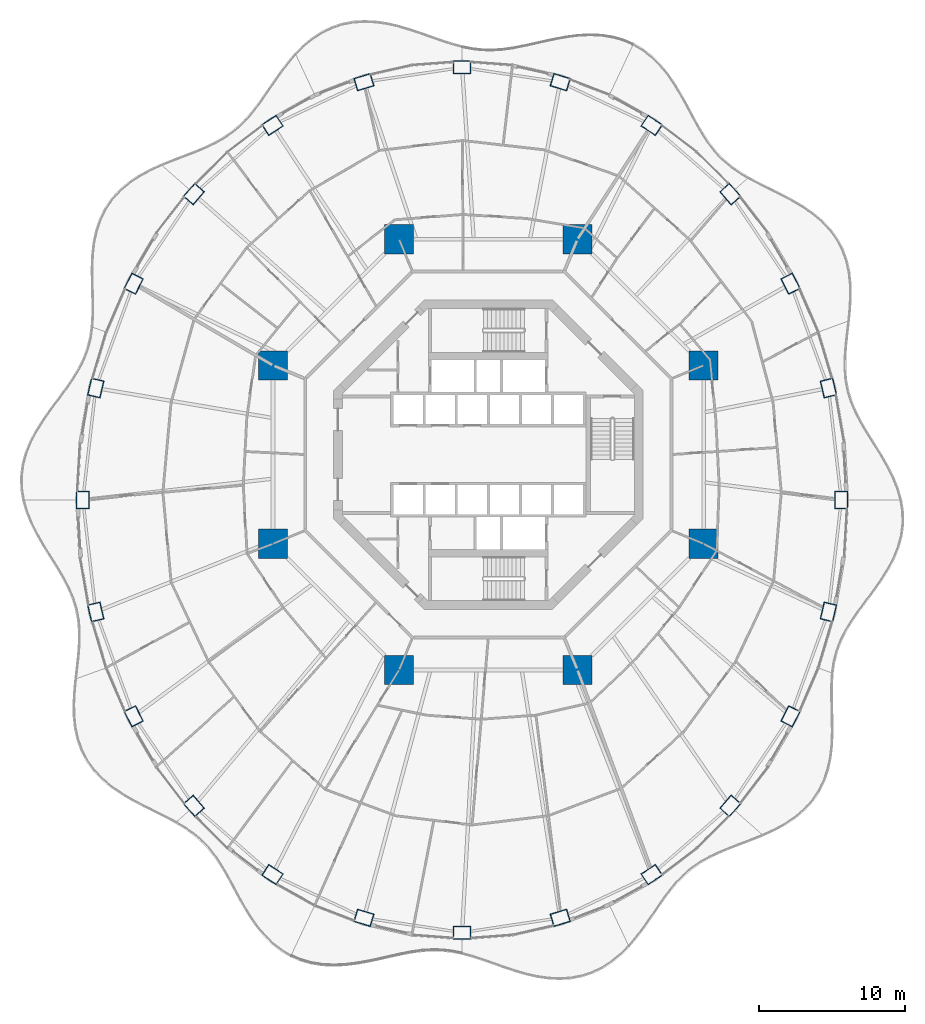
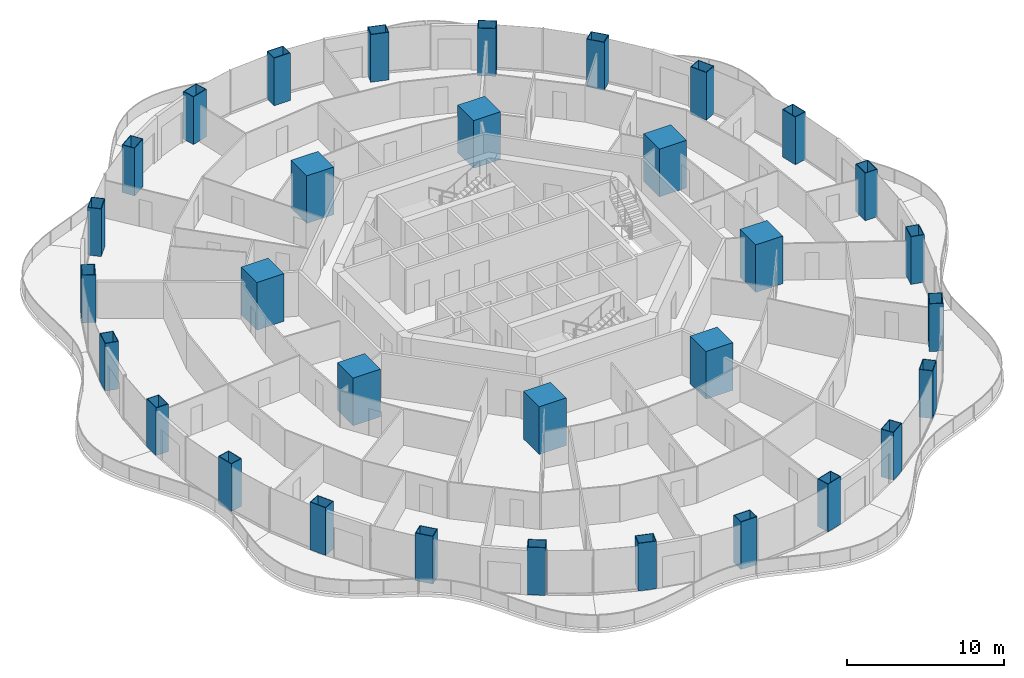
# One storey, part 1 of 19: 32 columns.
"""IFC4 building model written with IfcOpenShell, lengths in metres."""

from ifc_helpers import new_model, si_unit, direction, frame, origin, origin_2d, place, context, subcontext, project, spatial, rectangle, hollow_rectangle, extrude, material, material_profile, profile_set, type_object, element, save


model = new_model("IFC4")

# Units and contexts
model_context = context("Model", 3, precision=1e-05, world=origin(), true_north=direction((0.0, 1.0)))
body_context = subcontext(model_context, "Body", "Model", "MODEL_VIEW")
ifc_project = project(units=[si_unit("LENGTHUNIT", "METRE"), si_unit("AREAUNIT", "SQUARE_METRE"), si_unit("VOLUMEUNIT", "CUBIC_METRE"), si_unit("PLANEANGLEUNIT", "RADIAN"), si_unit("MASSUNIT", "GRAM", prefix="KILO")], contexts=[model_context])

# Site, building, storey
site_placement = place(None, origin())
site = spatial("IfcSite", under=ifc_project, at=site_placement, CompositionType="ELEMENT")
building_placement = place(site_placement, origin())
building = spatial("IfcBuilding", under=site, at=building_placement, Name="Nagisa Residences", CompositionType="ELEMENT")
storey_placement = place(building_placement, frame((0.0, 0.0, 127.0)))
storey = spatial("IfcBuildingStorey", under=building, at=storey_placement, Name="L31", CompositionType="ELEMENT", Elevation=127.0)

# Columns
ifc_material_1 = material(Name="Concrete C80", Category="concrete")
ifc_material_profile_1 = material_profile(ifc_material_1, rectangle(XDim=2.0, YDim=2.0, at=origin_2d()), Name="C80 2000x2000")
ifc_profile_set_1 = profile_set([ifc_material_profile_1], Name="Concrete C80")
column_type_1 = type_object("IfcColumnType", Name="Inner megacolumn C80 2000x2000", PredefinedType="COLUMN", material=ifc_profile_set_1)
for number, where, z_axis, x_axis, name in (
    (1, (14.781982421875, 6.123046875, 0.0), (0.0, 0.0, 1.0), (1.0, 0.0, 0.0), "col:L31:i1"),
    (2, (6.123046875, 14.781982421875, 0.0), (0.0, 0.0, 1.0), (1.0, 0.0, 0.0), "col:L31:i2"),
    (3, (-6.123046875, 14.781982421875, 0.0), (0.0, 0.0, 1.0), (1.0, 0.0, 0.0), "col:L31:i3"),
    (4, (-14.781982421875, 6.123046875, 0.0), (0.0, 0.0, 1.0), (1.0, 0.0, 0.0), "col:L31:i4"),
    (5, (-14.781982421875, -6.123046875, 0.0), (0.0, 0.0, 1.0), (1.0, 0.0, 0.0), "col:L31:i5"),
    (6, (-6.123046875, -14.781982421875, 0.0), (0.0, 0.0, 1.0), (1.0, 0.0, 0.0), "col:L31:i6"),
    (7, (6.123046875, -14.781982421875, 0.0), (0.0, 0.0, 1.0), (1.0, 0.0, 0.0), "col:L31:i7"),
    (8, (14.781982421875, -6.123046875, 0.0), (0.0, 0.0, 1.0), (1.0, 0.0, 0.0), "col:L31:i8"),
):
    element("IfcColumn", number, at=place(storey_placement, frame(where, z_axis=z_axis, x_axis=x_axis)), inside=storey, type_object=column_type_1, Name=name, PredefinedType="COLUMN", context=body_context, shape_type="SweptSolid", body=[
        extrude(rectangle(XDim=2.0, YDim=2.0, at=origin_2d()), origin(), (0.0, 0.0, 1.0), 3.699951171875),
    ])
ifc_material_2 = material(Name="Steel ASTM A572 Gr 50", Category="steel")
ifc_material_profile_2 = material_profile(ifc_material_2, hollow_rectangle(XDim=1.199951171875, YDim=0.89990234375, WallThickness=0.0400390625, at=origin_2d()), Name="BX 1200x900x40")
ifc_profile_set_2 = profile_set([ifc_material_profile_2], Name="Steel ASTM A572 Gr 50")
column_type_2 = type_object("IfcColumnType", Name="Perimeter column BX 1200x900x40", PredefinedType="COLUMN", material=ifc_profile_set_2)
for number, where, z_axis, x_axis, name in (
    (9, (24.235107421875, -3.11767578125, 0.0), (0.0, 0.0, 1.0), (0.0, 1.0, 0.0), "col:L31:p00"),
    (10, (23.347900390625, 4.56787109375, 0.0), (0.0, 0.0, 1.0), (-0.229202013103, 0.973378876486, 0.0), "col:L31:p01"),
    (11, (20.7470703125, 11.729736328125, 0.0), (0.0, 0.0, 1.0), (-0.452462697578, 0.891783329795, 0.0), "col:L31:p02"),
    (12, (16.609619140625, 17.8798828125, 0.0), (0.0, 0.0, 1.0), (-0.660114607735, 0.751164898445, 0.0), "col:L31:p03"),
    (13, (11.217529296875, 22.598876953125, 0.0), (0.0, 0.0, 1.0), (-0.835766105673, 0.54908561865, 0.0), "col:L31:p04"),
    (14, (4.938232421875, 25.5654296875, 0.0), (0.0, 0.0, 1.0), (-0.956524583408, 0.291651712384, 0.0), "col:L31:p05"),
    (15, (-1.800048828125, 26.577392578125, 0.0), (0.0, 0.0, 1.0), (-1.0, 0.0, 0.0), "col:L31:p06"),
    (16, (-8.538330078125, 25.5654296875, 0.0), (0.0, 0.0, 1.0), (-0.956524583408, -0.291651712384, 0.0), "col:L31:p07"),
    (17, (-14.8173828125, 22.598876953125, 0.0), (0.0, 0.0, 1.0), (-0.835766105673, -0.54908561865, 0.0), "col:L31:p08"),
    (18, (-20.20947265625, 17.8798828125, 0.0), (0.0, 0.0, 1.0), (-0.660114607735, -0.751164898445, 0.0), "col:L31:p09"),
    (19, (-24.346923828125, 11.729736328125, 0.0), (0.0, 0.0, 1.0), (-0.452462697578, -0.891783329795, 0.0), "col:L31:p10"),
    (20, (-26.947998046875, 4.56787109375, 0.0), (0.0, 0.0, 1.0), (-0.229202013103, -0.973378876486, 0.0), "col:L31:p11"),
    (21, (-27.8349609375, -3.11767578125, 0.0), (0.0, 0.0, 1.0), (0.0, -1.0, 0.0), "col:L31:p12"),
    (22, (-26.947998046875, -10.80322265625, 0.0), (0.0, 0.0, 1.0), (0.229202013103, -0.973378876486, 0.0), "col:L31:p13"),
    (23, (-24.346923828125, -17.965087890625, 0.0), (0.0, 0.0, 1.0), (0.452462697578, -0.891783329795, 0.0), "col:L31:p14"),
    (24, (-20.20947265625, -24.115234375, 0.0), (0.0, 0.0, 1.0), (0.660114607735, -0.751164898445, 0.0), "col:L31:p15"),
    (25, (-14.8173828125, -28.834228515625, 0.0), (0.0, 0.0, 1.0), (0.835766105673, -0.54908561865, 0.0), "col:L31:p16"),
    (26, (-8.538330078125, -31.80078125, 0.0), (0.0, 0.0, 1.0), (0.956524583408, -0.291651712384, 0.0), "col:L31:p17"),
    (27, (-1.800048828125, -32.812744140625, 0.0), (0.0, 0.0, 1.0), (1.0, 0.0, 0.0), "col:L31:p18"),
    (28, (4.938232421875, -31.80078125, 0.0), (0.0, 0.0, 1.0), (0.956524583408, 0.291651712384, 0.0), "col:L31:p19"),
    (29, (11.217529296875, -28.834228515625, 0.0), (0.0, 0.0, 1.0), (0.835766105673, 0.54908561865, 0.0), "col:L31:p20"),
    (30, (16.609619140625, -24.115234375, 0.0), (0.0, 0.0, 1.0), (0.660114607735, 0.751164898445, 0.0), "col:L31:p21"),
    (31, (20.7470703125, -17.965087890625, 0.0), (0.0, 0.0, 1.0), (0.452462697578, 0.891783329795, 0.0), "col:L31:p22"),
    (32, (23.347900390625, -10.80322265625, 0.0), (0.0, 0.0, 1.0), (0.229202013103, 0.973378876486, 0.0), "col:L31:p23"),
):
    element("IfcColumn", number, at=place(storey_placement, frame(where, z_axis=z_axis, x_axis=x_axis)), inside=storey, type_object=column_type_2, Name=name, PredefinedType="COLUMN", context=body_context, shape_type="SweptSolid", body=[
        extrude(hollow_rectangle(XDim=1.199951171875, YDim=0.89990234375, WallThickness=0.0400390625, at=origin_2d()), origin(), (0.0, 0.0, 1.0), 3.699951171875),
    ])

save(model, "model.ifc")
